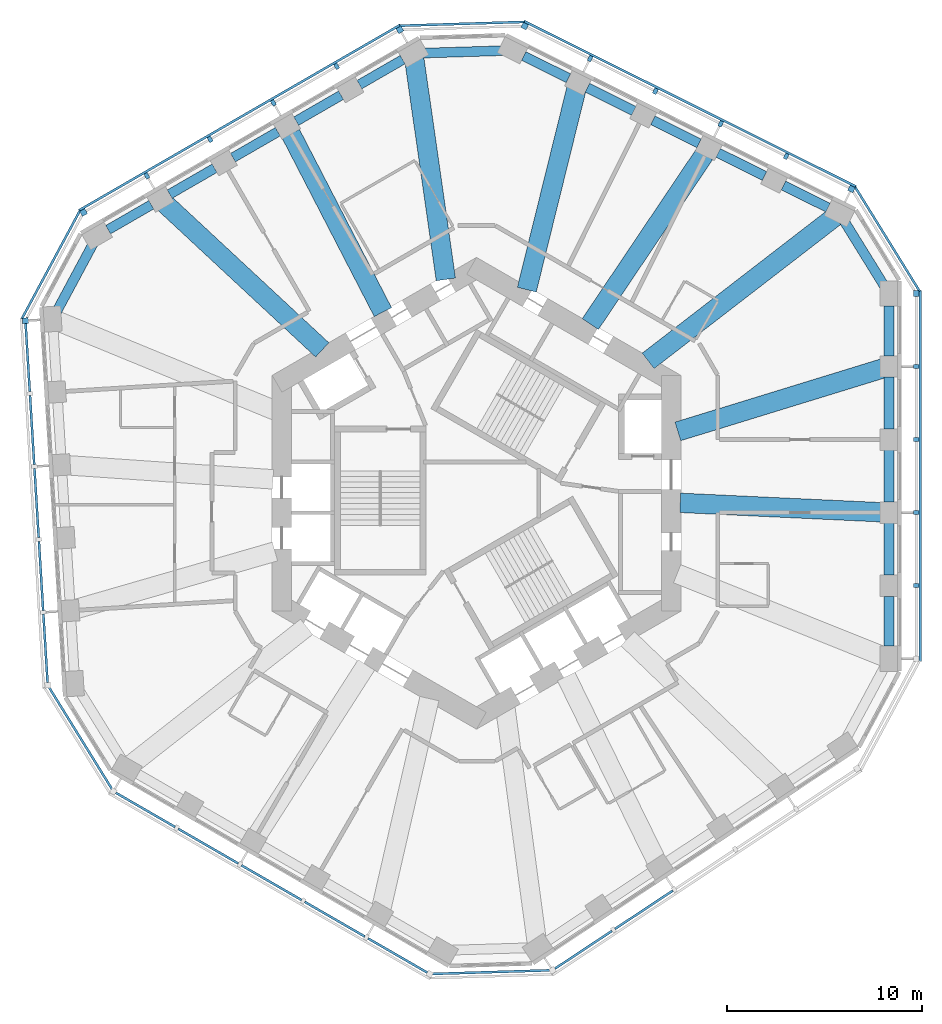
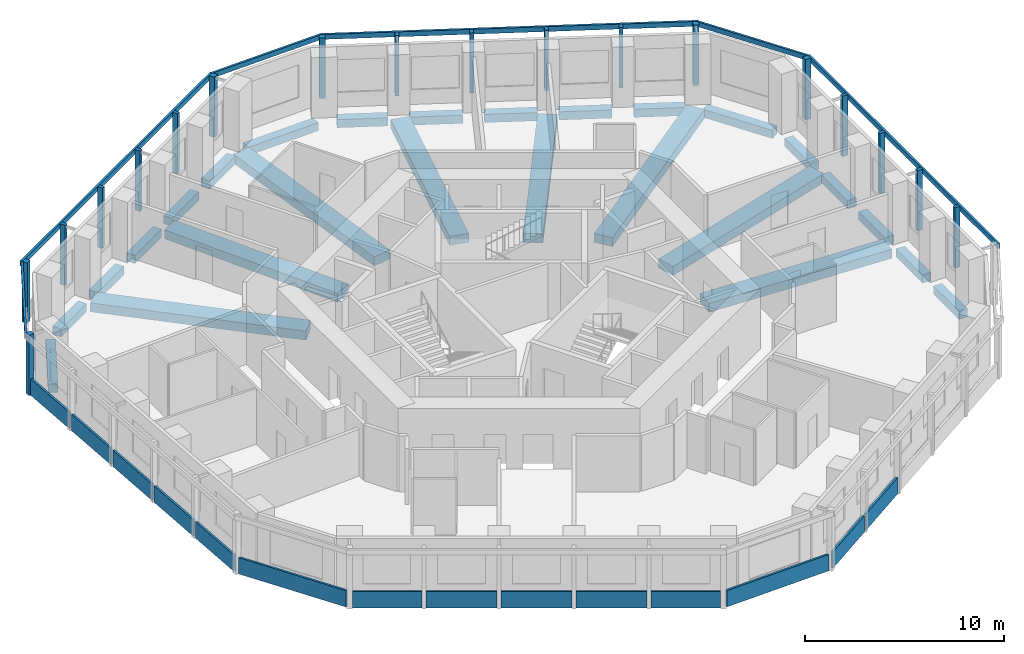
# One storey, part 2 of 11: 26 beams, 24 members, 14 plates, 11 elements without a shape of their own.
"""IFC4 building model written with IfcOpenShell, lengths in metres."""

from ifc_helpers import new_model, si_unit, direction, frame, origin, origin_2d, place, context, subcontext, project, spatial, rectangle, extrude, material, layer, layer_set, material_profile, profile_set, type_object, element, aggregate, save


model = new_model("IFC4")

# Units and contexts
model_context = context("Model", 3, precision=1e-05, world=origin(), true_north=direction((0.0, 1.0)))
body_context = subcontext(model_context, "Body", "Model", "MODEL_VIEW")
ifc_project = project(units=[si_unit("LENGTHUNIT", "METRE"), si_unit("AREAUNIT", "SQUARE_METRE"), si_unit("VOLUMEUNIT", "CUBIC_METRE"), si_unit("PLANEANGLEUNIT", "RADIAN"), si_unit("MASSUNIT", "GRAM", prefix="KILO")], contexts=[model_context])

# Site, building, storey
site_placement = place(None, origin())
site = spatial("IfcSite", under=ifc_project, at=site_placement, CompositionType="ELEMENT")
building_placement = place(site_placement, origin())
building = spatial("IfcBuilding", under=site, at=building_placement, Name="Vanh Sen Convention Tower", CompositionType="ELEMENT")
storey_placement = place(building_placement, frame((0.0, 0.0, 150.300048828125)))
storey = spatial("IfcBuildingStorey", under=building, at=storey_placement, Name="L36", CompositionType="ELEMENT", Elevation=150.300048828125)

# Curtain wall, member
ifc_material_1 = material(Name="Concrete C50/60", Category="concrete")
curtain_wall_type = type_object("IfcCurtainWallType", Name="Outer skin office zone", PredefinedType="NOTDEFINED", material=ifc_material_1)
curtain_wall_1_placement = place(storey_placement, origin())
curtain_wall_1 = element("IfcCurtainWall", 1, at=curtain_wall_1_placement, inside=storey, type_object=curtain_wall_type, Name="OUTER SKIN E L36", PredefinedType="NOTDEFINED")
ifc_material_profile_1 = material_profile(ifc_material_1, rectangle(XDim=0.300048828125, YDim=0.300048828125, at=origin_2d()), Name="Outer skin precast corner fin 300 x 300")
ifc_profile_set_1 = profile_set([ifc_material_profile_1], Name="Concrete C50/60")
member_type_1 = type_object("IfcMemberType", Name="Outer skin precast corner fin 300 x 300", PredefinedType="MULLION", material=ifc_profile_set_1)
member_1_placement = place(storey_placement, frame((22.60009765625, 10.26953125, 0.0), z_axis=(0.0, 0.0, 1.0), x_axis=(0.0, 1.0, 0.0)))
member_1 = element("IfcMember", 2, at=member_1_placement, type_object=member_type_1, Name="OUTER SKIN CORNER FIN 6 E L36", PredefinedType="MULLION", context=body_context, shape_type="SweptSolid", body=[
    extrude(rectangle(XDim=0.300048828125, YDim=0.300048828125, at=origin_2d()), origin(), (0.0, 0.0, 1.0), 3.699951171875),
])

# Curtain wall, members
curtain_wall_2_placement = place(storey_placement, origin())
curtain_wall_2 = element("IfcCurtainWall", 3, at=curtain_wall_2_placement, inside=storey, type_object=curtain_wall_type, Name="OUTER SKIN NE L36", PredefinedType="NOTDEFINED")
member_2_placement = place(storey_placement, frame((19.274658203125, 15.643310546875, 0.0), z_axis=(0.0, 0.0, 1.0), x_axis=(-0.894934361602, 0.44619781311, 0.0)))
member_2 = element("IfcMember", 4, at=member_2_placement, type_object=member_type_1, Name="OUTER SKIN CORNER FIN 1 NE L36", PredefinedType="MULLION", context=body_context, shape_type="SweptSolid", body=[
    extrude(rectangle(XDim=0.300048828125, YDim=0.300048828125, at=origin_2d()), origin(), (0.0, 0.0, 1.0), 3.699951171875),
])
member_3_placement = place(storey_placement, frame((2.476318359375, 24.0185546875, 0.0), z_axis=(0.0, 0.0, 1.0), x_axis=(-0.894934361602, 0.44619781311, 0.0)))
member_3 = element("IfcMember", 5, at=member_3_placement, type_object=member_type_1, Name="OUTER SKIN CORNER FIN 6 NE L36", PredefinedType="MULLION", context=body_context, shape_type="SweptSolid", body=[
    extrude(rectangle(XDim=0.300048828125, YDim=0.300048828125, at=origin_2d()), origin(), (0.0, 0.0, 1.0), 3.699951171875),
])

curtain_wall_3_placement = place(storey_placement, origin())
curtain_wall_3 = element("IfcCurtainWall", 6, at=curtain_wall_3_placement, inside=storey, type_object=curtain_wall_type, Name="OUTER SKIN NW L36", PredefinedType="NOTDEFINED")
member_4_placement = place(storey_placement, frame((-3.93798828125, 23.822509765625, 0.0), z_axis=(0.0, 0.0, 1.0), x_axis=(-0.866025403784, -0.5, 0.0)))
member_4 = element("IfcMember", 7, at=member_4_placement, type_object=member_type_1, Name="OUTER SKIN CORNER FIN 1 NW L36", PredefinedType="MULLION", context=body_context, shape_type="SweptSolid", body=[
    extrude(rectangle(XDim=0.300048828125, YDim=0.300048828125, at=origin_2d()), origin(), (0.0, 0.0, 1.0), 3.699951171875),
])
member_5_placement = place(storey_placement, frame((-20.193603515625, 14.4375, 0.0), z_axis=(0.0, 0.0, 1.0), x_axis=(-0.866025403784, -0.5, 0.0)))
member_5 = element("IfcMember", 8, at=member_5_placement, type_object=member_type_1, Name="OUTER SKIN CORNER FIN 6 NW L36", PredefinedType="MULLION", context=body_context, shape_type="SweptSolid", body=[
    extrude(rectangle(XDim=0.300048828125, YDim=0.300048828125, at=origin_2d()), origin(), (0.0, 0.0, 1.0), 3.699951171875),
])

# Curtain wall, member
curtain_wall_4_placement = place(storey_placement, origin())
curtain_wall_4 = element("IfcCurtainWall", 9, at=curtain_wall_4_placement, inside=storey, type_object=curtain_wall_type, Name="OUTER SKIN W L36", PredefinedType="NOTDEFINED")
member_6_placement = place(storey_placement, frame((-23.184814453125, 8.87060546875, 0.0), z_axis=(0.0, 0.0, 1.0), x_axis=(0.061048539535, -0.998134798422, 0.0)))
member_6 = element("IfcMember", 10, at=member_6_placement, type_object=member_type_1, Name="OUTER SKIN CORNER FIN 1 W L36", PredefinedType="MULLION", context=body_context, shape_type="SweptSolid", body=[
    extrude(rectangle(XDim=0.300048828125, YDim=0.300048828125, at=origin_2d()), origin(), (0.0, 0.0, 1.0), 3.699951171875),
])

# Member
ifc_material_profile_2 = material_profile(ifc_material_1, rectangle(XDim=0.199951171875, YDim=0.300048828125, at=origin_2d()), Name="Outer skin precast fin 200 x 300")
ifc_profile_set_2 = profile_set([ifc_material_profile_2], Name="Concrete C50/60")
member_type_2 = type_object("IfcMemberType", Name="Outer skin precast fin 200 x 300", PredefinedType="MULLION", material=ifc_profile_set_2)
member_7_placement = place(storey_placement, frame((22.60009765625, -4.746826171875, 0.0), z_axis=(0.0, 0.0, 1.0), x_axis=(0.0, 1.0, 0.0)))
member_7 = element("IfcMember", 11, at=member_7_placement, type_object=member_type_2, Name="OUTER SKIN fin 2 E L36", PredefinedType="MULLION", context=body_context, shape_type="SweptSolid", body=[
    extrude(rectangle(XDim=0.199951171875, YDim=0.300048828125, at=origin_2d()), origin(), (0.0, 0.0, 1.0), 3.699951171875),
])

member_8_placement = place(storey_placement, frame((22.60009765625, -0.992919921875, 0.0), z_axis=(0.0, 0.0, 1.0), x_axis=(0.0, 1.0, 0.0)))
member_8 = element("IfcMember", 12, at=member_8_placement, type_object=member_type_2, Name="OUTER SKIN fin 3 E L36", PredefinedType="MULLION", context=body_context, shape_type="SweptSolid", body=[
    extrude(rectangle(XDim=0.199951171875, YDim=0.300048828125, at=origin_2d()), origin(), (0.0, 0.0, 1.0), 3.699951171875),
])

member_9_placement = place(storey_placement, frame((22.60009765625, 2.76123046875, 0.0), z_axis=(0.0, 0.0, 1.0), x_axis=(0.0, 1.0, 0.0)))
member_9 = element("IfcMember", 13, at=member_9_placement, type_object=member_type_2, Name="OUTER SKIN fin 4 E L36", PredefinedType="MULLION", context=body_context, shape_type="SweptSolid", body=[
    extrude(rectangle(XDim=0.199951171875, YDim=0.300048828125, at=origin_2d()), origin(), (0.0, 0.0, 1.0), 3.699951171875),
])

member_10_placement = place(storey_placement, frame((22.60009765625, 6.515380859375, 0.0), z_axis=(0.0, 0.0, 1.0), x_axis=(0.0, 1.0, 0.0)))
member_10 = element("IfcMember", 14, at=member_10_placement, type_object=member_type_2, Name="OUTER SKIN fin 5 E L36", PredefinedType="MULLION", context=body_context, shape_type="SweptSolid", body=[
    extrude(rectangle(XDim=0.199951171875, YDim=0.300048828125, at=origin_2d()), origin(), (0.0, 0.0, 1.0), 3.699951171875),
])

member_11_placement = place(storey_placement, frame((15.9150390625, 17.318359375, 0.0), z_axis=(0.0, 0.0, 1.0), x_axis=(-0.894934361602, 0.44619781311, 0.0)))
member_11 = element("IfcMember", 15, at=member_11_placement, type_object=member_type_2, Name="OUTER SKIN fin 2 NE L36", PredefinedType="MULLION", context=body_context, shape_type="SweptSolid", body=[
    extrude(rectangle(XDim=0.199951171875, YDim=0.300048828125, at=origin_2d()), origin(), (0.0, 0.0, 1.0), 3.699951171875),
])

member_12_placement = place(storey_placement, frame((12.555419921875, 18.993408203125, 0.0), z_axis=(0.0, 0.0, 1.0), x_axis=(-0.894934361602, 0.44619781311, 0.0)))
member_12 = element("IfcMember", 16, at=member_12_placement, type_object=member_type_2, Name="OUTER SKIN fin 3 NE L36", PredefinedType="MULLION", context=body_context, shape_type="SweptSolid", body=[
    extrude(rectangle(XDim=0.199951171875, YDim=0.300048828125, at=origin_2d()), origin(), (0.0, 0.0, 1.0), 3.699951171875),
])

member_13_placement = place(storey_placement, frame((9.195556640625, 20.66845703125, 0.0), z_axis=(0.0, 0.0, 1.0), x_axis=(-0.894934361602, 0.44619781311, 0.0)))
member_13 = element("IfcMember", 17, at=member_13_placement, type_object=member_type_2, Name="OUTER SKIN fin 4 NE L36", PredefinedType="MULLION", context=body_context, shape_type="SweptSolid", body=[
    extrude(rectangle(XDim=0.199951171875, YDim=0.300048828125, at=origin_2d()), origin(), (0.0, 0.0, 1.0), 3.699951171875),
])

member_14_placement = place(storey_placement, frame((5.8359375, 22.343505859375, 0.0), z_axis=(0.0, 0.0, 1.0), x_axis=(-0.894934361602, 0.44619781311, 0.0)))
member_14 = element("IfcMember", 18, at=member_14_placement, type_object=member_type_2, Name="OUTER SKIN fin 5 NE L36", PredefinedType="MULLION", context=body_context, shape_type="SweptSolid", body=[
    extrude(rectangle(XDim=0.199951171875, YDim=0.300048828125, at=origin_2d()), origin(), (0.0, 0.0, 1.0), 3.699951171875),
])

member_15_placement = place(storey_placement, frame((-7.189208984375, 21.945556640625, 0.0), z_axis=(0.0, 0.0, 1.0), x_axis=(-0.866025403784, -0.5, 0.0)))
member_15 = element("IfcMember", 19, at=member_15_placement, type_object=member_type_2, Name="OUTER SKIN fin 2 NW L36", PredefinedType="MULLION", context=body_context, shape_type="SweptSolid", body=[
    extrude(rectangle(XDim=0.199951171875, YDim=0.300048828125, at=origin_2d()), origin(), (0.0, 0.0, 1.0), 3.699951171875),
])

member_16_placement = place(storey_placement, frame((-10.440185546875, 20.068603515625, 0.0), z_axis=(0.0, 0.0, 1.0), x_axis=(-0.866025403784, -0.5, 0.0)))
member_16 = element("IfcMember", 20, at=member_16_placement, type_object=member_type_2, Name="OUTER SKIN fin 3 NW L36", PredefinedType="MULLION", context=body_context, shape_type="SweptSolid", body=[
    extrude(rectangle(XDim=0.199951171875, YDim=0.300048828125, at=origin_2d()), origin(), (0.0, 0.0, 1.0), 3.699951171875),
])

member_17_placement = place(storey_placement, frame((-13.69140625, 18.19140625, 0.0), z_axis=(0.0, 0.0, 1.0), x_axis=(-0.866025403784, -0.5, 0.0)))
member_17 = element("IfcMember", 21, at=member_17_placement, type_object=member_type_2, Name="OUTER SKIN fin 4 NW L36", PredefinedType="MULLION", context=body_context, shape_type="SweptSolid", body=[
    extrude(rectangle(XDim=0.199951171875, YDim=0.300048828125, at=origin_2d()), origin(), (0.0, 0.0, 1.0), 3.699951171875),
])

member_18_placement = place(storey_placement, frame((-16.9423828125, 16.314453125, 0.0), z_axis=(0.0, 0.0, 1.0), x_axis=(-0.866025403784, -0.5, 0.0)))
member_18 = element("IfcMember", 22, at=member_18_placement, type_object=member_type_2, Name="OUTER SKIN fin 5 NW L36", PredefinedType="MULLION", context=body_context, shape_type="SweptSolid", body=[
    extrude(rectangle(XDim=0.199951171875, YDim=0.300048828125, at=origin_2d()), origin(), (0.0, 0.0, 1.0), 3.699951171875),
])

ifc_material_profile_3 = material_profile(ifc_material_1, rectangle(XDim=0.1201171875, YDim=0.300048828125, at=origin_2d()), Name="Outer skin precast spandrel band 300 x 120")
ifc_profile_set_3 = profile_set([ifc_material_profile_3], Name="Concrete C50/60")
member_type_3 = type_object("IfcMemberType", Name="Outer skin precast spandrel band 300 x 120", PredefinedType="USERDEFINED", material=ifc_profile_set_3)
member_19_placement = place(storey_placement, frame((22.81005859375, -8.65087890625, 3.550048828125), z_axis=(0.0, 1.0, 0.0), x_axis=(-1.0, 0.0, 0.0)))
member_19 = element("IfcMember", 23, at=member_19_placement, type_object=member_type_3, Name="OUTER SKIN spandrel band E L36", ObjectType="TRANSOM", PredefinedType="USERDEFINED", context=body_context, shape_type="SweptSolid", body=[
    extrude(rectangle(XDim=0.1201171875, YDim=0.300048828125, at=origin_2d()), origin(), (0.0, 0.0, 1.0), 19.0703125),
])

aggregate(curtain_wall_1, [member_7, member_8, member_9, member_10, member_1, member_19])

# Curtain wall, member
curtain_wall_5_placement = place(storey_placement, origin())
curtain_wall_5 = element("IfcCurtainWall", 24, at=curtain_wall_5_placement, inside=storey, type_object=curtain_wall_type, Name="OUTER SKIN CH1 L36", PredefinedType="NOTDEFINED")
member_20_placement = place(storey_placement, frame((22.778564453125, 10.3798828125, 3.550048828125), z_axis=(-0.526173726926, 0.850377098171, 0.0), x_axis=(-0.850377098171, -0.526173726926, 0.0)))
member_20 = element("IfcMember", 25, at=member_20_placement, type_object=member_type_3, Name="OUTER SKIN spandrel band CH1 L36", ObjectType="TRANSOM", PredefinedType="USERDEFINED", context=body_context, shape_type="SweptSolid", body=[
    extrude(rectangle(XDim=0.1201171875, YDim=0.300048828125, at=origin_2d()), origin(), (0.0, 0.0, 1.0), 6.319580078125),
])
aggregate(curtain_wall_5, [member_20])

# Member
member_21_placement = place(storey_placement, frame((19.502685546875, 15.764404296875, 3.550048828125), z_axis=(-0.894941234474, 0.446184027996, 0.0), x_axis=(-0.446184027996, -0.894941234474, 0.0)))
member_21 = element("IfcMember", 26, at=member_21_placement, type_object=member_type_3, Name="OUTER SKIN spandrel band NE L36", ObjectType="TRANSOM", PredefinedType="USERDEFINED", context=body_context, shape_type="SweptSolid", body=[
    extrude(rectangle(XDim=0.1201171875, YDim=0.300048828125, at=origin_2d()), origin(), (0.0, 0.0, 1.0), 19.07080078125),
])

aggregate(curtain_wall_2, [member_2, member_11, member_12, member_13, member_14, member_3, member_21])

# Curtain wall, member
curtain_wall_6_placement = place(storey_placement, origin())
curtain_wall_6 = element("IfcCurtainWall", 27, at=curtain_wall_6_placement, inside=storey, type_object=curtain_wall_type, Name="OUTER SKIN CH2 L36", PredefinedType="NOTDEFINED")
member_22_placement = place(storey_placement, frame((2.4697265625, 24.228515625, 3.550048828125), z_axis=(-0.999533221695, -0.030550592913, 0.0), x_axis=(0.030550592913, -0.999533221695, 0.0)))
member_22 = element("IfcMember", 28, at=member_22_placement, type_object=member_type_3, Name="OUTER SKIN spandrel band CH2 L36", ObjectType="TRANSOM", PredefinedType="USERDEFINED", context=body_context, shape_type="SweptSolid", body=[
    extrude(rectangle(XDim=0.1201171875, YDim=0.300048828125, at=origin_2d()), origin(), (0.0, 0.0, 1.0), 6.4169921875),
])
aggregate(curtain_wall_6, [member_22])

# Member
member_23_placement = place(storey_placement, frame((-3.9130859375, 24.07958984375, 3.550048828125), z_axis=(-0.866023136587, -0.500003926881, 0.0), x_axis=(0.500003926881, -0.866023136587, 0.0)))
member_23 = element("IfcMember", 29, at=member_23_placement, type_object=member_type_3, Name="OUTER SKIN spandrel band NW L36", ObjectType="TRANSOM", PredefinedType="USERDEFINED", context=body_context, shape_type="SweptSolid", body=[
    extrude(rectangle(XDim=0.1201171875, YDim=0.300048828125, at=origin_2d()), origin(), (0.0, 0.0, 1.0), 19.070556640625),
])

aggregate(curtain_wall_3, [member_4, member_15, member_16, member_17, member_18, member_5, member_23])

# Curtain wall, member
curtain_wall_7_placement = place(storey_placement, origin())
curtain_wall_7 = element("IfcCurtainWall", 30, at=curtain_wall_7_placement, inside=storey, type_object=curtain_wall_type, Name="OUTER SKIN CH3 L36", PredefinedType="NOTDEFINED")
member_24_placement = place(storey_placement, frame((-20.378662109375, 14.536865234375, 3.550048828125), z_axis=(-0.47333707755, -0.880881383057, 0.0), x_axis=(0.880881383057, -0.47333707755, 0.0)))
member_24 = element("IfcMember", 31, at=member_24_placement, type_object=member_type_3, Name="OUTER SKIN spandrel band CH3 L36", ObjectType="TRANSOM", PredefinedType="USERDEFINED", context=body_context, shape_type="SweptSolid", body=[
    extrude(rectangle(XDim=0.1201171875, YDim=0.300048828125, at=origin_2d()), origin(), (0.0, 0.0, 1.0), 6.3193359375),
])
aggregate(curtain_wall_7, [member_24])

# Beams
ifc_material_2 = material(Name="Concrete C50/60", Category="concrete")
ifc_material_profile_4 = material_profile(ifc_material_2, rectangle(XDim=1.0, YDim=0.550048828125, at=origin_2d()), Name="RC 1000X550")
ifc_profile_set_4 = profile_set([ifc_material_profile_4], Name="Concrete C50/60")
beam_type_1 = type_object("IfcBeamType", Name="Radial floor beam 1000 x 550", PredefinedType="BEAM", material=ifc_profile_set_4)
beam_1_placement = place(storey_placement, frame((20.7783203125, -0.97314453125, -0.554931640625), z_axis=(-0.998905248477, 0.046779317705, 0.0), x_axis=(-0.046779317705, -0.998905248477, 0.0)))
element("IfcBeam", 32, at=beam_1_placement, inside=storey, type_object=beam_type_1, Name="Radial beam 02 L36", PredefinedType="BEAM", context=body_context, shape_type="SweptSolid", body=[
    extrude(rectangle(XDim=1.0, YDim=0.550048828125, at=origin_2d()), origin(), (0.0, 0.0, 1.0), 10.31787109375),
])
beam_2_placement = place(storey_placement, frame((20.97021484375, 6.44482421875, -0.554931640625), z_axis=(-0.955876339667, -0.293769336835, 0.0), x_axis=(0.293769336835, -0.955876339667, 0.0)))
element("IfcBeam", 33, at=beam_2_placement, inside=storey, type_object=beam_type_1, Name="Radial beam 03 L36", PredefinedType="BEAM", context=body_context, shape_type="SweptSolid", body=[
    extrude(rectangle(XDim=1.0, YDim=0.550048828125, at=origin_2d()), origin(), (0.0, 0.0, 1.0), 11.112060546875),
])
beam_3_placement = place(storey_placement, frame((18.449951171875, 14.236083984375, -0.554931640625), z_axis=(-0.79170818872, -0.610899454832, 0.0), x_axis=(0.610899454832, -0.79170818872, 0.0)))
element("IfcBeam", 34, at=beam_3_placement, inside=storey, type_object=beam_type_1, Name="Radial beam 04 L36", PredefinedType="BEAM", context=body_context, shape_type="SweptSolid", body=[
    extrude(rectangle(XDim=1.0, YDim=0.550048828125, at=origin_2d()), origin(), (0.0, 0.0, 1.0), 12.161865234375),
])
beam_4_placement = place(storey_placement, frame((11.716552734375, 17.422119140625, -0.554931640625), z_axis=(-0.558062126182, -0.829799170475, 0.0), x_axis=(0.829799170475, -0.558062126182, 0.0)))
element("IfcBeam", 35, at=beam_4_placement, inside=storey, type_object=beam_type_1, Name="Radial beam 05 L36", PredefinedType="BEAM", context=body_context, shape_type="SweptSolid", body=[
    extrude(rectangle(XDim=1.0, YDim=0.550048828125, at=origin_2d()), origin(), (0.0, 0.0, 1.0), 10.510009765625),
])
beam_5_placement = place(storey_placement, frame((5.144287109375, 20.81982421875, -0.554931640625), z_axis=(-0.239868649212, -0.970805351821, 0.0), x_axis=(0.970805351821, -0.239868649212, 0.0)))
element("IfcBeam", 36, at=beam_5_placement, inside=storey, type_object=beam_type_1, Name="Radial beam 06 L36", PredefinedType="BEAM", context=body_context, shape_type="SweptSolid", body=[
    extrude(rectangle(XDim=1.0, YDim=0.550048828125, at=origin_2d()), origin(), (0.0, 0.0, 1.0), 10.66552734375),
])
beam_6_placement = place(storey_placement, frame((-3.1982421875, 22.333740234375, -0.554931640625), z_axis=(0.141740638319, -0.989903829394, 0.0), x_axis=(0.989903829394, 0.141740638319, 0.0)))
element("IfcBeam", 37, at=beam_6_placement, inside=storey, type_object=beam_type_1, Name="Radial beam 07 L36", PredefinedType="BEAM", context=body_context, shape_type="SweptSolid", body=[
    extrude(rectangle(XDim=1.0, YDim=0.550048828125, at=origin_2d()), origin(), (0.0, 0.0, 1.0), 11.454345703125),
])
beam_7_placement = place(storey_placement, frame((-9.54638671875, 18.481201171875, -0.554931640625), z_axis=(0.458939431593, -0.888467556036, 0.0), x_axis=(0.888467556036, 0.458939431593, 0.0)))
element("IfcBeam", 38, at=beam_7_placement, inside=storey, type_object=beam_type_1, Name="Radial beam 08 L36", PredefinedType="BEAM", context=body_context, shape_type="SweptSolid", body=[
    extrude(rectangle(XDim=1.0, YDim=0.550048828125, at=origin_2d()), origin(), (0.0, 0.0, 1.0), 10.318115234375),
])
beam_8_placement = place(storey_placement, frame((-16.06640625, 14.9384765625, -0.554931640625), z_axis=(0.732344952361, -0.680933822594, 0.0), x_axis=(0.680933822594, 0.732344952361, 0.0)))
element("IfcBeam", 39, at=beam_8_placement, inside=storey, type_object=beam_type_1, Name="Radial beam 09 L36", PredefinedType="BEAM", context=body_context, shape_type="SweptSolid", body=[
    extrude(rectangle(XDim=1.0, YDim=0.550048828125, at=origin_2d()), origin(), (0.0, 0.0, 1.0), 11.112060546875),
])
ifc_material_profile_5 = material_profile(ifc_material_2, rectangle(XDim=0.5, YDim=0.5, at=origin_2d()), Name="RC 500X500")
ifc_profile_set_5 = profile_set([ifc_material_profile_5], Name="Concrete C50/60")
beam_type_2 = type_object("IfcBeamType", Name="Spandrel beam 500 x 500", PredefinedType="SPANDREL", material=ifc_profile_set_5)
beam_9_placement = place(storey_placement, frame((21.199951171875, -7.85595703125, -0.530029296875), z_axis=(0.0, 1.0, 0.0), x_axis=(-1.0, 0.0, 0.0)))
element("IfcBeam", 40, at=beam_9_placement, inside=storey, type_object=beam_type_2, Name="Spandrel beam 01 L36", PredefinedType="SPANDREL", context=body_context, shape_type="SweptSolid", body=[
    extrude(rectangle(XDim=0.5, YDim=0.5, at=origin_2d()), origin(), (0.0, 0.0, 1.0), 2.56396484375),
])
for number, where, z_axis, x_axis, name in (
    (41, (21.199951171875, -4.201904296875, -0.530029296875), (0.0, 1.0, 0.0), (-1.0, 0.0, 0.0), "Spandrel beam 02 L36"),
    (42, (21.199951171875, -0.44775390625, -0.530029296875), (0.0, 1.0, 0.0), (-1.0, 0.0, 0.0), "Spandrel beam 03 L36"),
    (43, (21.199951171875, 3.306396484375, -0.530029296875), (0.0, 1.0, 0.0), (-1.0, 0.0, 0.0), "Spandrel beam 04 L36"),
):
    element("IfcBeam", number, at=place(storey_placement, frame(where, z_axis=z_axis, x_axis=x_axis)), inside=storey, type_object=beam_type_2, Name=name, PredefinedType="SPANDREL", context=body_context, shape_type="SweptSolid", body=[
        extrude(rectangle(XDim=0.5, YDim=0.5, at=origin_2d()), origin(), (0.0, 0.0, 1.0), 2.6640625),
    ])
beam_10_placement = place(storey_placement, frame((21.199951171875, 7.060302734375, -0.530029296875), z_axis=(0.0, 1.0, 0.0), x_axis=(-1.0, 0.0, 0.0)))
element("IfcBeam", 44, at=beam_10_placement, inside=storey, type_object=beam_type_2, Name="Spandrel beam 05 L36", PredefinedType="SPANDREL", context=body_context, shape_type="SweptSolid", body=[
    extrude(rectangle(XDim=0.5, YDim=0.5, at=origin_2d()), origin(), (0.0, 0.0, 1.0), 2.564208984375),
])
beam_11_placement = place(storey_placement, frame((20.965087890625, 10.64892578125, -0.530029296875), z_axis=(-0.526180283514, 0.850373041224, 0.0), x_axis=(-0.850373041224, -0.526180283514, 0.0)))
element("IfcBeam", 45, at=beam_11_placement, inside=storey, type_object=beam_type_2, Name="Spandrel beam 06 L36", PredefinedType="SPANDREL", context=body_context, shape_type="SweptSolid", body=[
    extrude(rectangle(XDim=0.5, YDim=0.5, at=origin_2d()), origin(), (0.0, 0.0, 1.0), 3.95361328125),
])
beam_12_placement = place(storey_placement, frame((18.07275390625, 14.67822265625, -0.530029296875), z_axis=(-0.894940769459, 0.446184960707, 0.0), x_axis=(-0.446184960707, -0.894940769459, 0.0)))
element("IfcBeam", 46, at=beam_12_placement, inside=storey, type_object=beam_type_2, Name="Spandrel beam 07 L36", PredefinedType="SPANDREL", context=body_context, shape_type="SweptSolid", body=[
    extrude(rectangle(XDim=0.5, YDim=0.5, at=origin_2d()), origin(), (0.0, 0.0, 1.0), 2.56396484375),
])
for number, where, z_axis, x_axis, name in (
    (47, (14.802490234375, 16.30859375, -0.530029296875), (-0.894939776695, 0.446186951948, 0.0), (-0.446186951948, -0.894939776695, 0.0), "Spandrel beam 08 L36"),
    (48, (11.44287109375, 17.983642578125, -0.530029296875), (-0.894939776695, 0.446186951948, 0.0), (-0.446186951948, -0.894939776695, 0.0), "Spandrel beam 09 L36"),
    (49, (8.083251953125, 19.65869140625, -0.530029296875), (-0.894939776695, 0.446186951948, 0.0), (-0.446186951948, -0.894939776695, 0.0), "Spandrel beam 10 L36"),
):
    element("IfcBeam", number, at=place(storey_placement, frame(where, z_axis=z_axis, x_axis=x_axis)), inside=storey, type_object=beam_type_2, Name=name, PredefinedType="SPANDREL", context=body_context, shape_type="SweptSolid", body=[
        extrude(rectangle(XDim=0.5, YDim=0.5, at=origin_2d()), origin(), (0.0, 0.0, 1.0), 2.6640625),
    ])
beam_13_placement = place(storey_placement, frame((4.723388671875, 21.333984375, -0.530029296875), z_axis=(-0.894978788678, 0.446108695069, 0.0), x_axis=(-0.446108695069, -0.894978788678, 0.0)))
element("IfcBeam", 50, at=beam_13_placement, inside=storey, type_object=beam_type_2, Name="Spandrel beam 11 L36", PredefinedType="SPANDREL", context=body_context, shape_type="SweptSolid", body=[
    extrude(rectangle(XDim=0.5, YDim=0.5, at=origin_2d()), origin(), (0.0, 0.0, 1.0), 2.56396484375),
])
beam_14_placement = place(storey_placement, frame((1.371337890625, 22.7509765625, -0.530029296875), z_axis=(-0.999534922792, -0.030494886783, 0.0), x_axis=(0.030494886783, -0.999534922792, 0.0)))
element("IfcBeam", 51, at=beam_14_placement, inside=storey, type_object=beam_type_2, Name="Spandrel beam 12 L36", PredefinedType="SPANDREL", context=body_context, shape_type="SweptSolid", body=[
    extrude(rectangle(XDim=0.5, YDim=0.5, at=origin_2d()), origin(), (0.0, 0.0, 1.0), 4.131103515625),
])
beam_15_placement = place(storey_placement, frame((-3.79638671875, 22.28759765625, -0.530029296875), z_axis=(-0.866049234614, -0.499958721521, 0.0), x_axis=(0.499958721521, -0.866049234614, 0.0)))
element("IfcBeam", 52, at=beam_15_placement, inside=storey, type_object=beam_type_2, Name="Spandrel beam 13 L36", PredefinedType="SPANDREL", context=body_context, shape_type="SweptSolid", body=[
    extrude(rectangle(XDim=0.5, YDim=0.5, at=origin_2d()), origin(), (0.0, 0.0, 1.0), 2.564208984375),
])
beam_16_placement = place(storey_placement, frame((-6.961181640625, 20.460693359375, -0.530029296875), z_axis=(-0.866023818221, -0.500002746266, 0.0), x_axis=(0.500002746266, -0.866023818221, 0.0)))
element("IfcBeam", 53, at=beam_16_placement, inside=storey, type_object=beam_type_2, Name="Spandrel beam 14 L36", PredefinedType="SPANDREL", context=body_context, shape_type="SweptSolid", body=[
    extrude(rectangle(XDim=0.5, YDim=0.5, at=origin_2d()), origin(), (0.0, 0.0, 1.0), 2.6640625),
])
beam_17_placement = place(storey_placement, frame((-10.212158203125, 18.58349609375, -0.530029296875), z_axis=(-0.866063499924, -0.499934009745, 0.0), x_axis=(0.499934009745, -0.866063499924, 0.0)))
element("IfcBeam", 54, at=beam_17_placement, inside=storey, type_object=beam_type_2, Name="Spandrel beam 15 L36", PredefinedType="SPANDREL", context=body_context, shape_type="SweptSolid", body=[
    extrude(rectangle(XDim=0.5, YDim=0.5, at=origin_2d()), origin(), (0.0, 0.0, 1.0), 2.663818359375),
])
beam_18_placement = place(storey_placement, frame((-13.46337890625, 16.70654296875, -0.530029296875), z_axis=(-0.866023818221, -0.500002746266, 0.0), x_axis=(0.500002746266, -0.866023818221, 0.0)))
element("IfcBeam", 55, at=beam_18_placement, inside=storey, type_object=beam_type_2, Name="Spandrel beam 16 L36", PredefinedType="SPANDREL", context=body_context, shape_type="SweptSolid", body=[
    extrude(rectangle(XDim=0.5, YDim=0.5, at=origin_2d()), origin(), (0.0, 0.0, 1.0), 2.6640625),
])
beam_19_placement = place(storey_placement, frame((-16.714599609375, 14.82958984375, -0.530029296875), z_axis=(-0.866025432576, -0.499999950132, 0.0), x_axis=(0.499999950132, -0.866025432576, 0.0)))
element("IfcBeam", 56, at=beam_19_placement, inside=storey, type_object=beam_type_2, Name="Spandrel beam 17 L36", PredefinedType="SPANDREL", context=body_context, shape_type="SweptSolid", body=[
    extrude(rectangle(XDim=0.5, YDim=0.5, at=origin_2d()), origin(), (0.0, 0.0, 1.0), 2.56396484375),
])
beam_20_placement = place(storey_placement, frame((-19.704833984375, 12.83203125, -0.530029296875), z_axis=(-0.473300582372, -0.880900992579, 0.0), x_axis=(0.880900992579, -0.473300582372, 0.0)))
element("IfcBeam", 57, at=beam_20_placement, inside=storey, type_object=beam_type_2, Name="Spandrel beam 18 L36", PredefinedType="SPANDREL", context=body_context, shape_type="SweptSolid", body=[
    extrude(rectangle(XDim=0.5, YDim=0.5, at=origin_2d()), origin(), (0.0, 0.0, 1.0), 3.953857421875),
])

# Plate
ifc_layer = layer(ifc_material_1, 0.1201171875)
ifc_layer_set = layer_set([ifc_layer], Name="Concrete C50/60")
plate_type = type_object("IfcPlateType", Name="Outer skin precast screen panel 120", PredefinedType="CURTAIN_PANEL", material=ifc_layer_set)
plate_1_placement = place(storey_placement, frame((-23.068603515625, 6.97216796875, 0.0), z_axis=(0.0, 0.0, 1.0), x_axis=(0.061053765756, -0.998134478759, 0.0)))
plate_1 = element("IfcPlate", 58, at=plate_1_placement, type_object=plate_type, Name="OUTER SKIN screen panel W-1", PredefinedType="CURTAIN_PANEL", context=body_context, shape_type="SweptSolid", body=[
    extrude(rectangle(XDim=3.504150390625, YDim=0.1201171875, at=origin_2d()), origin(), (0.0, 0.0, 1.0), 1.0),
])

plate_2_placement = place(storey_placement, frame((-22.841064453125, 3.25, 0.0), z_axis=(0.0, 0.0, 1.0), x_axis=(0.061052023682, -0.998134585316, 0.0)))
plate_2 = element("IfcPlate", 59, at=plate_2_placement, type_object=plate_type, Name="OUTER SKIN screen panel W-2", PredefinedType="CURTAIN_PANEL", context=body_context, shape_type="SweptSolid", body=[
    extrude(rectangle(XDim=3.55419921875, YDim=0.1201171875, at=origin_2d()), origin(), (0.0, 0.0, 1.0), 1.0),
])

plate_3_placement = place(storey_placement, frame((-22.61181640625, -0.4970703125, 0.0), z_axis=(0.0, 0.0, 1.0), x_axis=(0.061053765756, -0.998134478759, 0.0)))
plate_3 = element("IfcPlate", 60, at=plate_3_placement, type_object=plate_type, Name="OUTER SKIN screen panel W-3", PredefinedType="CURTAIN_PANEL", context=body_context, shape_type="SweptSolid", body=[
    extrude(rectangle(XDim=3.55419921875, YDim=0.1201171875, at=origin_2d()), origin(), (0.0, 0.0, 1.0), 1.0),
])

plate_4_placement = place(storey_placement, frame((-22.382568359375, -4.244140625, 0.0), z_axis=(0.0, 0.0, 1.0), x_axis=(0.061025892559, -0.998136183312, 0.0)))
plate_4 = element("IfcPlate", 61, at=plate_4_placement, type_object=plate_type, Name="OUTER SKIN screen panel W-4", PredefinedType="CURTAIN_PANEL", context=body_context, shape_type="SweptSolid", body=[
    extrude(rectangle(XDim=3.55419921875, YDim=0.1201171875, at=origin_2d()), origin(), (0.0, 0.0, 1.0), 1.0),
])

plate_5_placement = place(storey_placement, frame((-22.155029296875, -7.96630859375, 0.0), z_axis=(0.0, 0.0, 1.0), x_axis=(0.061053765756, -0.998134478759, 0.0)))
plate_5 = element("IfcPlate", 62, at=plate_5_placement, type_object=plate_type, Name="OUTER SKIN screen panel W-5", PredefinedType="CURTAIN_PANEL", context=body_context, shape_type="SweptSolid", body=[
    extrude(rectangle(XDim=3.504150390625, YDim=0.1201171875, at=origin_2d()), origin(), (0.0, 0.0, 1.0), 1.0),
])

aggregate(curtain_wall_4, [member_6, plate_1, plate_2, plate_3, plate_4, plate_5])

# Curtain wall, plate
curtain_wall_8_placement = place(storey_placement, origin())
curtain_wall_8 = element("IfcCurtainWall", 63, at=curtain_wall_8_placement, inside=storey, type_object=curtain_wall_type, Name="OUTER SKIN CH4 L36", PredefinedType="NOTDEFINED")
plate_6_placement = place(storey_placement, frame((-20.3505859375, -12.59326171875, 0.0), z_axis=(0.0, 0.0, 1.0), x_axis=(0.526218376078, -0.850349469734, 0.0)))
plate_6 = element("IfcPlate", 64, at=plate_6_placement, type_object=plate_type, Name="OUTER SKIN screen panel CH4-1", PredefinedType="CURTAIN_PANEL", context=body_context, shape_type="SweptSolid", body=[
    extrude(rectangle(XDim=6.1171875, YDim=0.1201171875, at=origin_2d()), origin(), (0.0, 0.0, 1.0), 1.0),
])
aggregate(curtain_wall_8, [plate_6])

# Curtain wall, plates
curtain_wall_9_placement = place(storey_placement, origin())
curtain_wall_9 = element("IfcCurtainWall", 65, at=curtain_wall_9_placement, inside=storey, type_object=curtain_wall_type, Name="OUTER SKIN SW L36", PredefinedType="NOTDEFINED")
plate_7_placement = place(storey_placement, frame((-17.014892578125, -16.272705078125, 0.0), z_axis=(0.0, 0.0, 1.0), x_axis=(0.86602365845, -0.500003022996, 0.0)))
plate_7 = element("IfcPlate", 66, at=plate_7_placement, type_object=plate_type, Name="OUTER SKIN screen panel SW-1", PredefinedType="CURTAIN_PANEL", context=body_context, shape_type="SweptSolid", body=[
    extrude(rectangle(XDim=3.504150390625, YDim=0.1201171875, at=origin_2d()), origin(), (0.0, 0.0, 1.0), 1.0),
])
plate_8_placement = place(storey_placement, frame((-13.785400390625, -18.13720703125, 0.0), z_axis=(0.0, 0.0, 1.0), x_axis=(0.866028021766, -0.499995465495, 0.0)))
plate_8 = element("IfcPlate", 67, at=plate_8_placement, type_object=plate_type, Name="OUTER SKIN screen panel SW-2", PredefinedType="CURTAIN_PANEL", context=body_context, shape_type="SweptSolid", body=[
    extrude(rectangle(XDim=3.553955078125, YDim=0.1201171875, at=origin_2d()), origin(), (0.0, 0.0, 1.0), 1.0),
])
plate_9_placement = place(storey_placement, frame((-10.5341796875, -20.014404296875, 0.0), z_axis=(0.0, 0.0, 1.0), x_axis=(0.86602365845, -0.500003022996, 0.0)))
plate_9 = element("IfcPlate", 68, at=plate_9_placement, type_object=plate_type, Name="OUTER SKIN screen panel SW-3", PredefinedType="CURTAIN_PANEL", context=body_context, shape_type="SweptSolid", body=[
    extrude(rectangle(XDim=3.55419921875, YDim=0.1201171875, at=origin_2d()), origin(), (0.0, 0.0, 1.0), 1.0),
])
plate_10_placement = place(storey_placement, frame((-7.283203125, -21.891357421875, 0.0), z_axis=(0.0, 0.0, 1.0), x_axis=(0.866016677006, -0.500015114919, 0.0)))
plate_10 = element("IfcPlate", 69, at=plate_10_placement, type_object=plate_type, Name="OUTER SKIN screen panel SW-4", PredefinedType="CURTAIN_PANEL", context=body_context, shape_type="SweptSolid", body=[
    extrude(rectangle(XDim=3.55419921875, YDim=0.1201171875, at=origin_2d()), origin(), (0.0, 0.0, 1.0), 1.0),
])
plate_11_placement = place(storey_placement, frame((-4.0537109375, -23.755859375, 0.0), z_axis=(0.0, 0.0, 1.0), x_axis=(0.866035002936, -0.499983373414, 0.0)))
plate_11 = element("IfcPlate", 70, at=plate_11_placement, type_object=plate_type, Name="OUTER SKIN screen panel SW-5", PredefinedType="CURTAIN_PANEL", context=body_context, shape_type="SweptSolid", body=[
    extrude(rectangle(XDim=3.504150390625, YDim=0.1201171875, at=origin_2d()), origin(), (0.0, 0.0, 1.0), 1.0),
])
aggregate(curtain_wall_9, [plate_7, plate_8, plate_9, plate_10, plate_11])

# Curtain wall, plate
curtain_wall_10_placement = place(storey_placement, origin())
curtain_wall_10 = element("IfcCurtainWall", 71, at=curtain_wall_10_placement, inside=storey, type_object=curtain_wall_type, Name="OUTER SKIN CH5 L36", PredefinedType="NOTDEFINED")
plate_12_placement = place(storey_placement, frame((0.751953125, -24.6103515625, 0.0), z_axis=(0.0, 0.0, 1.0), x_axis=(0.999533537535, 0.030540257725, 0.0)))
plate_12 = element("IfcPlate", 72, at=plate_12_placement, type_object=plate_type, Name="OUTER SKIN screen panel CH5-1", PredefinedType="CURTAIN_PANEL", context=body_context, shape_type="SweptSolid", body=[
    extrude(rectangle(XDim=6.019287109375, YDim=0.1201171875, at=origin_2d()), origin(), (0.0, 0.0, 1.0), 1.0),
])
aggregate(curtain_wall_10, [plate_12])

# Curtain wall, plates
curtain_wall_11_placement = place(storey_placement, origin())
curtain_wall_11 = element("IfcCurtainWall", 73, at=curtain_wall_11_placement, inside=storey, type_object=curtain_wall_type, Name="OUTER SKIN SE L36", PredefinedType="NOTDEFINED")
plate_13_placement = place(storey_placement, frame((5.49609375, -23.464111328125, 0.0), z_axis=(0.0, 0.0, 1.0), x_axis=(0.833889675294, 0.551931163677, 0.0)))
plate_13 = element("IfcPlate", 74, at=plate_13_placement, type_object=plate_type, Name="OUTER SKIN screen panel SE-1", PredefinedType="CURTAIN_PANEL", context=body_context, shape_type="SweptSolid", body=[
    extrude(rectangle(XDim=3.504150390625, YDim=0.1201171875, at=origin_2d()), origin(), (0.0, 0.0, 1.0), 1.0),
])
plate_14_placement = place(storey_placement, frame((8.60595703125, -21.406005859375, 0.0), z_axis=(0.0, 0.0, 1.0), x_axis=(0.833889675294, 0.551931163677, 0.0)))
plate_14 = element("IfcPlate", 75, at=plate_14_placement, type_object=plate_type, Name="OUTER SKIN screen panel SE-2", PredefinedType="CURTAIN_PANEL", context=body_context, shape_type="SweptSolid", body=[
    extrude(rectangle(XDim=3.55419921875, YDim=0.1201171875, at=origin_2d()), origin(), (0.0, 0.0, 1.0), 1.0),
])
aggregate(curtain_wall_11, [plate_13, plate_14])

save(model, "model.ifc")
